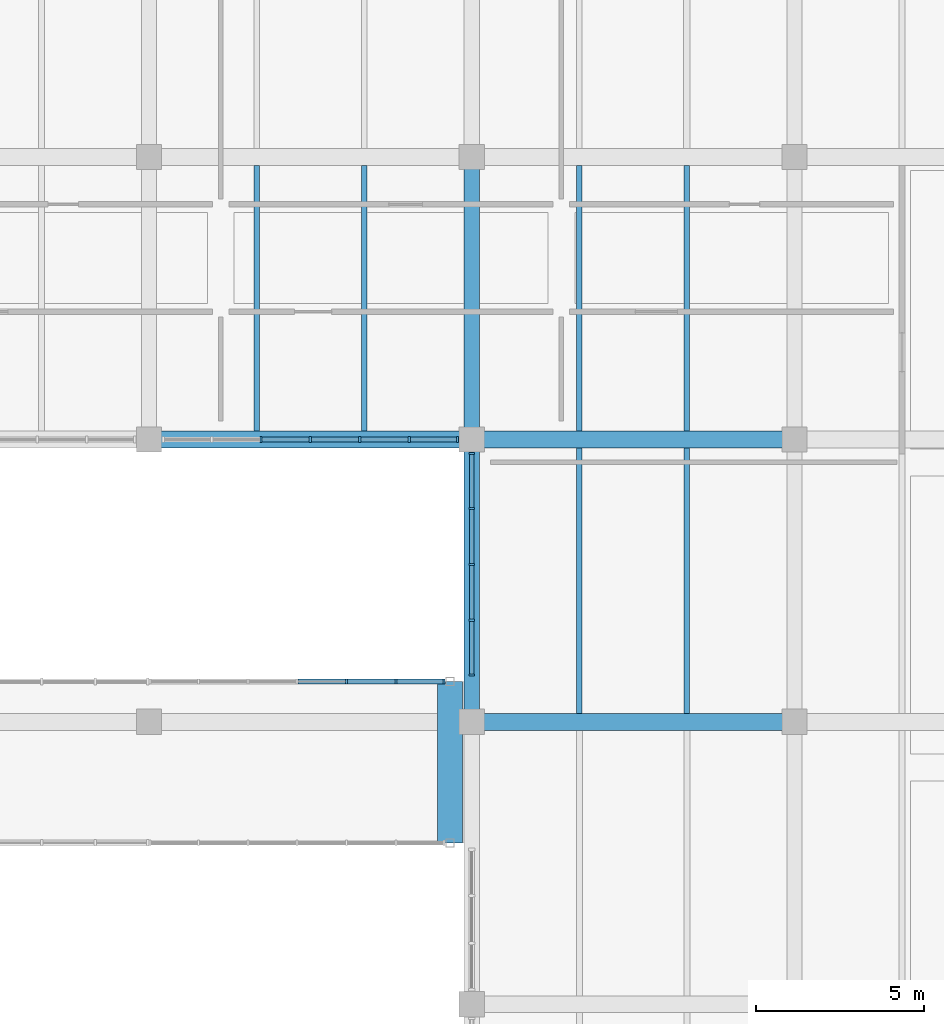
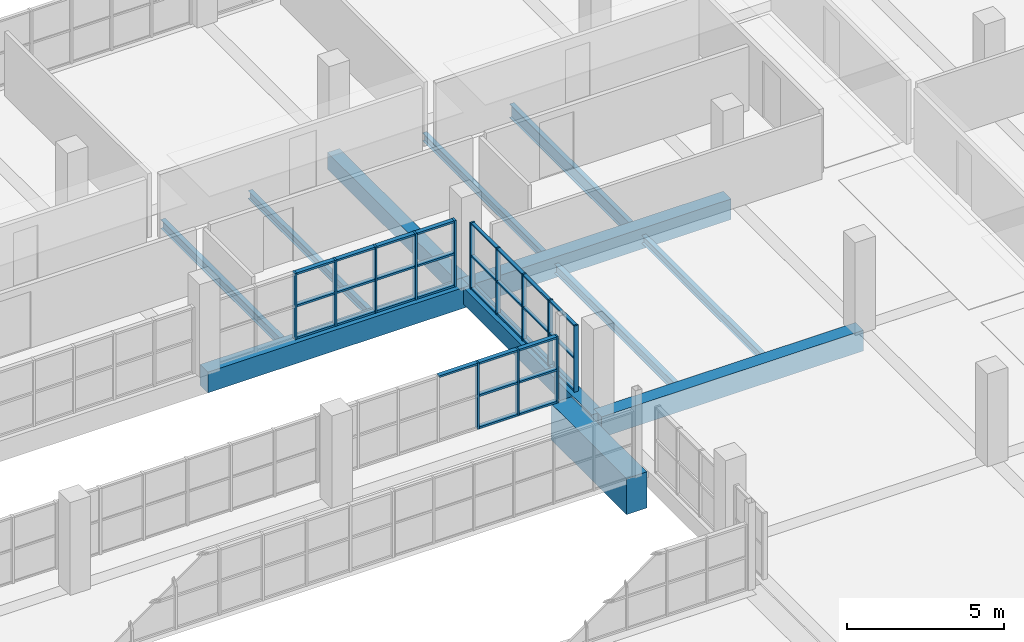
# One storey, part 67 of 147: 44 members, 12 beams, 3 elements without a shape of their own.
"""IFC4 building model written with IfcOpenShell, lengths in metres."""

from ifc_helpers import new_model, si_unit, direction, frame, origin, origin_2d, place, context, subcontext, project, spatial, rectangle, i_section, extrude, material, material_profile, profile_set, type_object, element, aggregate, save


model = new_model("IFC4")

# Units and contexts
model_context = context("Model", 3, precision=1e-05, world=origin(), true_north=direction((0.0, 1.0)))
body_context = subcontext(model_context, "Body", "Model", "MODEL_VIEW")
ifc_project = project(units=[si_unit("LENGTHUNIT", "METRE"), si_unit("AREAUNIT", "SQUARE_METRE"), si_unit("VOLUMEUNIT", "CUBIC_METRE"), si_unit("PLANEANGLEUNIT", "RADIAN"), si_unit("MASSUNIT", "GRAM", prefix="KILO")], contexts=[model_context])

# Site, building, storey
site_placement = place(None, origin())
site = spatial("IfcSite", under=ifc_project, at=site_placement, CompositionType="ELEMENT")
building_placement = place(site_placement, origin())
building = spatial("IfcBuilding", under=site, at=building_placement, Name="Oolite Switchyard Hospital", CompositionType="ELEMENT")
storey_placement = place(building_placement, frame((0.0, 0.0, 9.89990234375)))
storey = spatial("IfcBuildingStorey", under=building, at=storey_placement, Name="L02", CompositionType="ELEMENT", Elevation=9.89990234375)

# Beams
ifc_material_1 = material(Name="Concrete C40/50", Category="concrete")
ifc_material_profile_1 = material_profile(ifc_material_1, rectangle(XDim=0.449951171875, YDim=0.64990234375, at=origin_2d()), Name="RCB450X650")
ifc_profile_set_1 = profile_set([ifc_material_profile_1], Name="Concrete C40/50")
beam_type_1 = type_object("IfcBeamType", Name="BM-RC450X650", PredefinedType="BEAM", material=ifc_profile_set_1)
beam_1_placement = place(storey_placement, frame((182.39990234375, 50.39990234375, -0.324951171875), z_axis=(0.0, 1.0, 0.0), x_axis=(-1.0, 0.0, 0.0)))
element("IfcBeam", 1, at=beam_1_placement, inside=storey, type_object=beam_type_1, Name="L02 Y-Girder 1472", PredefinedType="BEAM", context=body_context, shape_type="SweptSolid", body=[
    extrude(rectangle(XDim=0.449951171875, YDim=0.64990234375, at=origin_2d()), origin(), (0.0, 0.0, 1.0), 8.400146484375),
])
beam_2_placement = place(storey_placement, frame((182.39990234375, 58.800048828125, -0.324951171875), z_axis=(0.0, 1.0, 0.0), x_axis=(-1.0, 0.0, 0.0)))
element("IfcBeam", 2, at=beam_2_placement, inside=storey, type_object=beam_type_1, Name="L02 Y-Girder 1473", PredefinedType="BEAM", context=body_context, shape_type="SweptSolid", body=[
    extrude(rectangle(XDim=0.449951171875, YDim=0.64990234375, at=origin_2d()), origin(), (0.0, 0.0, 1.0), 8.39990234375),
])
ifc_material_profile_2 = material_profile(ifc_material_1, rectangle(XDim=0.5, YDim=0.800048828125, at=origin_2d()), Name="RCB500X800")
ifc_profile_set_2 = profile_set([ifc_material_profile_2], Name="Concrete C40/50")
beam_type_2 = type_object("IfcBeamType", Name="BM-RC500X800", PredefinedType="BEAM", material=ifc_profile_set_2)
beam_3_placement = place(storey_placement, frame((182.39990234375, 50.39990234375, -0.39990234375), z_axis=(1.0, 0.0, 0.0), x_axis=(0.0, 1.0, 0.0)))
element("IfcBeam", 3, at=beam_3_placement, inside=storey, type_object=beam_type_2, Name="L02 X-Girder 1075", PredefinedType="BEAM", context=body_context, shape_type="SweptSolid", body=[
    extrude(rectangle(XDim=0.5, YDim=0.800048828125, at=origin_2d()), origin(), (0.0, 0.0, 1.0), 9.60009765625),
])
beam_4_placement = place(storey_placement, frame((172.800048828125, 58.800048828125, -0.39990234375), z_axis=(1.0, 0.0, 0.0), x_axis=(0.0, 1.0, 0.0)))
element("IfcBeam", 4, at=beam_4_placement, inside=storey, type_object=beam_type_2, Name="L02 X-Girder 1090", PredefinedType="BEAM", context=body_context, shape_type="SweptSolid", body=[
    extrude(rectangle(XDim=0.5, YDim=0.800048828125, at=origin_2d()), origin(), (0.0, 0.0, 1.0), 9.599853515625),
])
beam_5_placement = place(storey_placement, frame((182.39990234375, 58.800048828125, -0.39990234375), z_axis=(1.0, 0.0, 0.0), x_axis=(0.0, 1.0, 0.0)))
element("IfcBeam", 5, at=beam_5_placement, inside=storey, type_object=beam_type_2, Name="L02 X-Girder 1091", PredefinedType="BEAM", context=body_context, shape_type="SweptSolid", body=[
    extrude(rectangle(XDim=0.5, YDim=0.800048828125, at=origin_2d()), origin(), (0.0, 0.0, 1.0), 9.60009765625),
])
ifc_material_profile_3 = material_profile(ifc_material_1, rectangle(XDim=0.75, YDim=1.39990234375, at=origin_2d()), Name="RCT750X1400")
ifc_profile_set_3 = profile_set([ifc_material_profile_3], Name="Concrete C40/50")
beam_type_3 = type_object("IfcBeamType", Name="BM-TR750X1400", PredefinedType="BEAM", material=ifc_profile_set_3)
beam_6_placement = place(storey_placement, frame((181.75, 46.800048828125, -0.699951171875), z_axis=(0.0, 1.0, 0.0), x_axis=(-1.0, 0.0, 0.0)))
element("IfcBeam", 6, at=beam_6_placement, inside=storey, type_object=beam_type_3, Name="L02 Y-Girder 1466", PredefinedType="BEAM", context=body_context, shape_type="SweptSolid", body=[
    extrude(rectangle(XDim=0.75, YDim=1.39990234375, at=origin_2d()), origin(), (0.0, 0.0, 1.0), 4.800048828125),
])
ifc_material_2 = material(Name="Steel ASTM A992 Grade 50", Category="steel")
ifc_material_profile_4 = material_profile(ifc_material_2, i_section(OverallWidth=0.1650390625, OverallDepth=0.31005859375, WebThickness=0.006103515625, FlangeThickness=0.010009765625, at=origin_2d()), Name="W12X26")
ifc_profile_set_4 = profile_set([ifc_material_profile_4], Name="Steel ASTM A992 Grade 50")
beam_type_4 = type_object("IfcBeamType", Name="BM-W12X26", PredefinedType="JOIST", material=ifc_profile_set_4)
beam_7_placement = place(storey_placement, frame((179.199951171875, 59.050048828125, -0.414794921875), z_axis=(0.0, 1.0, 0.0), x_axis=(-1.0, 0.0, 0.0)))
element("IfcBeam", 7, at=beam_7_placement, inside=storey, type_object=beam_type_4, Name="L02 Secondary Steel Joist 1857", PredefinedType="JOIST", context=body_context, shape_type="SweptSolid", body=[
    extrude(i_section(OverallWidth=0.1650390625, OverallDepth=0.31005859375, WebThickness=0.006103515625, FlangeThickness=0.010009765625, at=origin_2d()), origin(), (0.0, 0.0, 1.0), 7.89990234375),
])
beam_8_placement = place(storey_placement, frame((188.800048828125, 50.64990234375, -0.414794921875), z_axis=(0.0, 1.0, 0.0), x_axis=(-1.0, 0.0, 0.0)))
element("IfcBeam", 8, at=beam_8_placement, inside=storey, type_object=beam_type_4, Name="L02 Secondary Steel Joist 1877", PredefinedType="JOIST", context=body_context, shape_type="SweptSolid", body=[
    extrude(i_section(OverallWidth=0.1650390625, OverallDepth=0.31005859375, WebThickness=0.006103515625, FlangeThickness=0.010009765625, at=origin_2d()), origin(), (0.0, 0.0, 1.0), 7.900146484375),
])
beam_9_placement = place(storey_placement, frame((185.60009765625, 59.050048828125, -0.414794921875), z_axis=(0.0, 1.0, 0.0), x_axis=(-1.0, 0.0, 0.0)))
element("IfcBeam", 9, at=beam_9_placement, inside=storey, type_object=beam_type_4, Name="L02 Secondary Steel Joist 1878", PredefinedType="JOIST", context=body_context, shape_type="SweptSolid", body=[
    extrude(i_section(OverallWidth=0.1650390625, OverallDepth=0.31005859375, WebThickness=0.006103515625, FlangeThickness=0.010009765625, at=origin_2d()), origin(), (0.0, 0.0, 1.0), 7.89990234375),
])
ifc_material_profile_5 = material_profile(ifc_material_2, i_section(OverallWidth=0.1708984375, OverallDepth=0.35107421875, WebThickness=0.007080078125, FlangeThickness=0.010009765625, at=origin_2d()), Name="W14X30")
ifc_profile_set_5 = profile_set([ifc_material_profile_5], Name="Steel ASTM A992 Grade 50")
beam_type_5 = type_object("IfcBeamType", Name="BM-W14X30", PredefinedType="JOIST", material=ifc_profile_set_5)
beam_10_placement = place(storey_placement, frame((176.0, 59.050048828125, -0.434814453125), z_axis=(0.0, 1.0, 0.0), x_axis=(-1.0, 0.0, 0.0)))
element("IfcBeam", 10, at=beam_10_placement, inside=storey, type_object=beam_type_5, Name="L02 Secondary Steel Joist 1856", PredefinedType="JOIST", context=body_context, shape_type="SweptSolid", body=[
    extrude(i_section(OverallWidth=0.1708984375, OverallDepth=0.35107421875, WebThickness=0.007080078125, FlangeThickness=0.010009765625, at=origin_2d()), origin(), (0.0, 0.0, 1.0), 7.89990234375),
])
beam_11_placement = place(storey_placement, frame((185.60009765625, 50.64990234375, -0.434814453125), z_axis=(0.0, 1.0, 0.0), x_axis=(-1.0, 0.0, 0.0)))
element("IfcBeam", 11, at=beam_11_placement, inside=storey, type_object=beam_type_5, Name="L02 Secondary Steel Joist 1876", PredefinedType="JOIST", context=body_context, shape_type="SweptSolid", body=[
    extrude(i_section(OverallWidth=0.1708984375, OverallDepth=0.35107421875, WebThickness=0.007080078125, FlangeThickness=0.010009765625, at=origin_2d()), origin(), (0.0, 0.0, 1.0), 7.900146484375),
])
ifc_material_profile_6 = material_profile(ifc_material_2, i_section(OverallWidth=0.166015625, OverallDepth=0.529052734375, WebThickness=0.010009765625, FlangeThickness=0.013916015625, at=origin_2d()), Name="W21X50")
ifc_profile_set_6 = profile_set([ifc_material_profile_6], Name="Steel ASTM A992 Grade 50")
beam_type_6 = type_object("IfcBeamType", Name="BM-W21X50", PredefinedType="JOIST", material=ifc_profile_set_6)
beam_12_placement = place(storey_placement, frame((188.800048828125, 59.050048828125, -0.52392578125), z_axis=(0.0, 1.0, 0.0), x_axis=(-1.0, 0.0, 0.0)))
element("IfcBeam", 12, at=beam_12_placement, inside=storey, type_object=beam_type_6, Name="L02 Secondary Steel Joist 1879", PredefinedType="JOIST", context=body_context, shape_type="SweptSolid", body=[
    extrude(i_section(OverallWidth=0.166015625, OverallDepth=0.529052734375, WebThickness=0.010009765625, FlangeThickness=0.013916015625, at=origin_2d()), origin(), (0.0, 0.0, 1.0), 7.89990234375),
])

# Curtain wall, members
ifc_material_3 = material(Name="Thermally broken aluminum frame with laminated impact glazing", Category="aluminium")
curtain_wall_type_1 = type_object("IfcCurtainWallType", Name="CW-BRG-96X38", PredefinedType="USERDEFINED", material=ifc_material_3)
curtain_wall_1_placement = place(storey_placement, origin())
curtain_wall_1 = element("IfcCurtainWall", 13, at=curtain_wall_1_placement, inside=storey, type_object=curtain_wall_type_1, Name="L02 Unitised Curtain Wall 241", ObjectType="UNITISED", PredefinedType="USERDEFINED")
ifc_material_4 = material(Name="Aluminium 6063-T6", Category="aluminium")
ifc_material_profile_7 = material_profile(ifc_material_4, rectangle(XDim=0.159912109375, YDim=0.06005859375, at=origin_2d()), Name="CWM60X160")
ifc_profile_set_7 = profile_set([ifc_material_profile_7], Name="Aluminium 6063-T6")
member_type_1 = type_object("IfcMemberType", Name="CW-MUL-180", PredefinedType="MULLION", material=ifc_profile_set_7)
member_1_placement = place(storey_placement, frame((178.672119140625, 51.60009765625, 0.0), z_axis=(0.0, 0.0, 1.0), x_axis=(0.0, 1.0, 0.0)))
member_1 = element("IfcMember", 14, at=member_1_placement, type_object=member_type_1, Name="CW-12 mullion 5", PredefinedType="MULLION", context=body_context, shape_type="SweptSolid", body=[
    extrude(rectangle(XDim=0.159912109375, YDim=0.06005859375, at=origin_2d()), origin(), (0.0, 0.0, 1.0), 2.570068359375),
])
member_2_placement = place(storey_placement, frame((180.139892578125, 51.60009765625, 0.0), z_axis=(0.0, 0.0, 1.0), x_axis=(0.0, 1.0, 0.0)))
member_2 = element("IfcMember", 15, at=member_2_placement, type_object=member_type_1, Name="CW-12 mullion 6", PredefinedType="MULLION", context=body_context, shape_type="SweptSolid", body=[
    extrude(rectangle(XDim=0.159912109375, YDim=0.06005859375, at=origin_2d()), origin(), (0.0, 0.0, 1.0), 2.570068359375),
])
member_3_placement = place(storey_placement, frame((181.577880859375, 51.60009765625, 0.0), z_axis=(0.0, 0.0, 1.0), x_axis=(0.0, 1.0, 0.0)))
member_3 = element("IfcMember", 16, at=member_3_placement, type_object=member_type_1, Name="CW-12 mullion 7", PredefinedType="MULLION", context=body_context, shape_type="SweptSolid", body=[
    extrude(rectangle(XDim=0.159912109375, YDim=0.06005859375, at=origin_2d()), origin(), (0.0, 0.0, 1.0), 2.570068359375),
])

curtain_wall_2_placement = place(storey_placement, origin())
curtain_wall_2 = element("IfcCurtainWall", 17, at=curtain_wall_2_placement, inside=storey, type_object=curtain_wall_type_1, Name="L02 Unitised Curtain Wall 310", ObjectType="UNITISED", PredefinedType="USERDEFINED")
member_4_placement = place(storey_placement, frame((182.39990234375, 51.7900390625, 0.0), z_axis=(0.0, 0.0, 1.0), x_axis=(-1.0, 0.0, 0.0)))
member_4 = element("IfcMember", 18, at=member_4_placement, type_object=member_type_1, Name="CW-12 mullion 1", PredefinedType="MULLION", context=body_context, shape_type="SweptSolid", body=[
    extrude(rectangle(XDim=0.159912109375, YDim=0.06005859375, at=origin_2d()), origin(), (0.0, 0.0, 1.0), 2.570068359375),
])
member_5_placement = place(storey_placement, frame((182.39990234375, 53.422607421875, 0.0), z_axis=(0.0, 0.0, 1.0), x_axis=(-1.0, 0.0, 0.0)))
member_5 = element("IfcMember", 19, at=member_5_placement, type_object=member_type_1, Name="CW-12 mullion 2", PredefinedType="MULLION", context=body_context, shape_type="SweptSolid", body=[
    extrude(rectangle(XDim=0.159912109375, YDim=0.06005859375, at=origin_2d()), origin(), (0.0, 0.0, 1.0), 2.570068359375),
])
member_6_placement = place(storey_placement, frame((182.39990234375, 55.0849609375, 0.0), z_axis=(0.0, 0.0, 1.0), x_axis=(-1.0, 0.0, 0.0)))
member_6 = element("IfcMember", 20, at=member_6_placement, type_object=member_type_1, Name="CW-12 mullion 3", PredefinedType="MULLION", context=body_context, shape_type="SweptSolid", body=[
    extrude(rectangle(XDim=0.159912109375, YDim=0.06005859375, at=origin_2d()), origin(), (0.0, 0.0, 1.0), 2.570068359375),
])
member_7_placement = place(storey_placement, frame((182.39990234375, 56.74755859375, 0.0), z_axis=(0.0, 0.0, 1.0), x_axis=(-1.0, 0.0, 0.0)))
member_7 = element("IfcMember", 21, at=member_7_placement, type_object=member_type_1, Name="CW-12 mullion 4", PredefinedType="MULLION", context=body_context, shape_type="SweptSolid", body=[
    extrude(rectangle(XDim=0.159912109375, YDim=0.06005859375, at=origin_2d()), origin(), (0.0, 0.0, 1.0), 2.570068359375),
])
member_8_placement = place(storey_placement, frame((182.39990234375, 58.3798828125, 0.0), z_axis=(0.0, 0.0, 1.0), x_axis=(-1.0, 0.0, 0.0)))
member_8 = element("IfcMember", 22, at=member_8_placement, type_object=member_type_1, Name="CW-12 mullion 5", PredefinedType="MULLION", context=body_context, shape_type="SweptSolid", body=[
    extrude(rectangle(XDim=0.159912109375, YDim=0.06005859375, at=origin_2d()), origin(), (0.0, 0.0, 1.0), 2.570068359375),
])

curtain_wall_type_2 = type_object("IfcCurtainWallType", Name="CW-UNIT-96X36", PredefinedType="USERDEFINED", material=ifc_material_3)
curtain_wall_3_placement = place(storey_placement, origin())
curtain_wall_3 = element("IfcCurtainWall", 23, at=curtain_wall_3_placement, inside=storey, type_object=curtain_wall_type_2, Name="L02 Unitised Curtain Wall 245", ObjectType="UNITISED", PredefinedType="USERDEFINED")
ifc_material_profile_8 = material_profile(ifc_material_4, rectangle(XDim=0.179931640625, YDim=0.070068359375, at=origin_2d()), Name="CWM70X180")
ifc_profile_set_8 = profile_set([ifc_material_profile_8], Name="Aluminium 6063-T6")
member_type_2 = type_object("IfcMemberType", Name="CW-MUL-220", PredefinedType="MULLION", material=ifc_profile_set_8)
member_9_placement = place(storey_placement, frame((181.97509765625, 58.800048828125, 0.0), z_axis=(0.0, 0.0, 1.0), x_axis=(0.0, -1.0, 0.0)))
member_9 = element("IfcMember", 24, at=member_9_placement, type_object=member_type_2, Name="CW-03 mullion 1", PredefinedType="MULLION", context=body_context, shape_type="SweptSolid", body=[
    extrude(rectangle(XDim=0.179931640625, YDim=0.070068359375, at=origin_2d()), origin(), (0.0, 0.0, 1.0), 2.570068359375),
])
member_10_placement = place(storey_placement, frame((180.5400390625, 58.800048828125, 0.0), z_axis=(0.0, 0.0, 1.0), x_axis=(0.0, -1.0, 0.0)))
member_10 = element("IfcMember", 25, at=member_10_placement, type_object=member_type_2, Name="CW-03 mullion 2", PredefinedType="MULLION", context=body_context, shape_type="SweptSolid", body=[
    extrude(rectangle(XDim=0.179931640625, YDim=0.070068359375, at=origin_2d()), origin(), (0.0, 0.0, 1.0), 2.570068359375),
])
member_11_placement = place(storey_placement, frame((179.070068359375, 58.800048828125, 0.0), z_axis=(0.0, 0.0, 1.0), x_axis=(0.0, -1.0, 0.0)))
member_11 = element("IfcMember", 26, at=member_11_placement, type_object=member_type_2, Name="CW-03 mullion 3", PredefinedType="MULLION", context=body_context, shape_type="SweptSolid", body=[
    extrude(rectangle(XDim=0.179931640625, YDim=0.070068359375, at=origin_2d()), origin(), (0.0, 0.0, 1.0), 2.570068359375),
])
member_12_placement = place(storey_placement, frame((177.60009765625, 58.800048828125, 0.0), z_axis=(0.0, 0.0, 1.0), x_axis=(0.0, -1.0, 0.0)))
member_12 = element("IfcMember", 27, at=member_12_placement, type_object=member_type_2, Name="CW-03 mullion 4", PredefinedType="MULLION", context=body_context, shape_type="SweptSolid", body=[
    extrude(rectangle(XDim=0.179931640625, YDim=0.070068359375, at=origin_2d()), origin(), (0.0, 0.0, 1.0), 2.570068359375),
])
member_13_placement = place(storey_placement, frame((176.1298828125, 58.800048828125, 0.0), z_axis=(0.0, 0.0, 1.0), x_axis=(0.0, -1.0, 0.0)))
member_13 = element("IfcMember", 28, at=member_13_placement, type_object=member_type_2, Name="CW-03 mullion 5", PredefinedType="MULLION", context=body_context, shape_type="SweptSolid", body=[
    extrude(rectangle(XDim=0.179931640625, YDim=0.070068359375, at=origin_2d()), origin(), (0.0, 0.0, 1.0), 2.570068359375),
])

# Member
ifc_material_profile_9 = material_profile(ifc_material_4, rectangle(XDim=0.1201171875, YDim=0.06005859375, at=origin_2d()), Name="CWT60X120")
ifc_profile_set_9 = profile_set([ifc_material_profile_9], Name="Aluminium 6063-T6")
member_type_3 = type_object("IfcMemberType", Name="CW-TRN-150", PredefinedType="USERDEFINED", material=ifc_profile_set_9)
member_14_placement = place(storey_placement, frame((182.39990234375, 51.820068359375, 0.030029296875), z_axis=(0.0, 1.0, 0.0), x_axis=(-1.0, 0.0, 0.0)))
member_14 = element("IfcMember", 29, at=member_14_placement, type_object=member_type_3, Name="CW-12 transom 1.1", ObjectType="TRANSOM", PredefinedType="USERDEFINED", context=body_context, shape_type="SweptSolid", body=[
    extrude(rectangle(XDim=0.1201171875, YDim=0.06005859375, at=origin_2d()), origin(), (0.0, 0.0, 1.0), 1.572509765625),
])

member_15_placement = place(storey_placement, frame((182.39990234375, 51.820068359375, 1.28515625), z_axis=(0.0, 1.0, 0.0), x_axis=(-1.0, 0.0, 0.0)))
member_15 = element("IfcMember", 30, at=member_15_placement, type_object=member_type_3, Name="CW-12 transom 1.2", ObjectType="TRANSOM", PredefinedType="USERDEFINED", context=body_context, shape_type="SweptSolid", body=[
    extrude(rectangle(XDim=0.1201171875, YDim=0.06005859375, at=origin_2d()), origin(), (0.0, 0.0, 1.0), 1.572509765625),
])

member_16_placement = place(storey_placement, frame((182.39990234375, 51.820068359375, 2.5400390625), z_axis=(0.0, 1.0, 0.0), x_axis=(-1.0, 0.0, 0.0)))
member_16 = element("IfcMember", 31, at=member_16_placement, type_object=member_type_3, Name="CW-12 transom 1.3", ObjectType="TRANSOM", PredefinedType="USERDEFINED", context=body_context, shape_type="SweptSolid", body=[
    extrude(rectangle(XDim=0.1201171875, YDim=0.06005859375, at=origin_2d()), origin(), (0.0, 0.0, 1.0), 1.572509765625),
])

member_17_placement = place(storey_placement, frame((182.39990234375, 53.452392578125, 0.030029296875), z_axis=(0.0, 1.0, 0.0), x_axis=(-1.0, 0.0, 0.0)))
member_17 = element("IfcMember", 32, at=member_17_placement, type_object=member_type_3, Name="CW-12 transom 2.1", ObjectType="TRANSOM", PredefinedType="USERDEFINED", context=body_context, shape_type="SweptSolid", body=[
    extrude(rectangle(XDim=0.1201171875, YDim=0.06005859375, at=origin_2d()), origin(), (0.0, 0.0, 1.0), 1.6025390625),
])

member_18_placement = place(storey_placement, frame((182.39990234375, 53.452392578125, 1.28515625), z_axis=(0.0, 1.0, 0.0), x_axis=(-1.0, 0.0, 0.0)))
member_18 = element("IfcMember", 33, at=member_18_placement, type_object=member_type_3, Name="CW-12 transom 2.2", ObjectType="TRANSOM", PredefinedType="USERDEFINED", context=body_context, shape_type="SweptSolid", body=[
    extrude(rectangle(XDim=0.1201171875, YDim=0.06005859375, at=origin_2d()), origin(), (0.0, 0.0, 1.0), 1.6025390625),
])

member_19_placement = place(storey_placement, frame((182.39990234375, 53.452392578125, 2.5400390625), z_axis=(0.0, 1.0, 0.0), x_axis=(-1.0, 0.0, 0.0)))
member_19 = element("IfcMember", 34, at=member_19_placement, type_object=member_type_3, Name="CW-12 transom 2.3", ObjectType="TRANSOM", PredefinedType="USERDEFINED", context=body_context, shape_type="SweptSolid", body=[
    extrude(rectangle(XDim=0.1201171875, YDim=0.06005859375, at=origin_2d()), origin(), (0.0, 0.0, 1.0), 1.6025390625),
])

member_20_placement = place(storey_placement, frame((182.39990234375, 55.114990234375, 0.030029296875), z_axis=(0.0, 1.0, 0.0), x_axis=(-1.0, 0.0, 0.0)))
member_20 = element("IfcMember", 35, at=member_20_placement, type_object=member_type_3, Name="CW-12 transom 3.1", ObjectType="TRANSOM", PredefinedType="USERDEFINED", context=body_context, shape_type="SweptSolid", body=[
    extrude(rectangle(XDim=0.1201171875, YDim=0.06005859375, at=origin_2d()), origin(), (0.0, 0.0, 1.0), 1.6025390625),
])

member_21_placement = place(storey_placement, frame((182.39990234375, 55.114990234375, 1.28515625), z_axis=(0.0, 1.0, 0.0), x_axis=(-1.0, 0.0, 0.0)))
member_21 = element("IfcMember", 36, at=member_21_placement, type_object=member_type_3, Name="CW-12 transom 3.2", ObjectType="TRANSOM", PredefinedType="USERDEFINED", context=body_context, shape_type="SweptSolid", body=[
    extrude(rectangle(XDim=0.1201171875, YDim=0.06005859375, at=origin_2d()), origin(), (0.0, 0.0, 1.0), 1.6025390625),
])

member_22_placement = place(storey_placement, frame((182.39990234375, 55.114990234375, 2.5400390625), z_axis=(0.0, 1.0, 0.0), x_axis=(-1.0, 0.0, 0.0)))
member_22 = element("IfcMember", 37, at=member_22_placement, type_object=member_type_3, Name="CW-12 transom 3.3", ObjectType="TRANSOM", PredefinedType="USERDEFINED", context=body_context, shape_type="SweptSolid", body=[
    extrude(rectangle(XDim=0.1201171875, YDim=0.06005859375, at=origin_2d()), origin(), (0.0, 0.0, 1.0), 1.6025390625),
])

member_23_placement = place(storey_placement, frame((182.39990234375, 56.777587890625, 0.030029296875), z_axis=(0.0, 1.0, 0.0), x_axis=(-1.0, 0.0, 0.0)))
member_23 = element("IfcMember", 38, at=member_23_placement, type_object=member_type_3, Name="CW-12 transom 4.1", ObjectType="TRANSOM", PredefinedType="USERDEFINED", context=body_context, shape_type="SweptSolid", body=[
    extrude(rectangle(XDim=0.1201171875, YDim=0.06005859375, at=origin_2d()), origin(), (0.0, 0.0, 1.0), 1.572509765625),
])

member_24_placement = place(storey_placement, frame((182.39990234375, 56.777587890625, 1.28515625), z_axis=(0.0, 1.0, 0.0), x_axis=(-1.0, 0.0, 0.0)))
member_24 = element("IfcMember", 39, at=member_24_placement, type_object=member_type_3, Name="CW-12 transom 4.2", ObjectType="TRANSOM", PredefinedType="USERDEFINED", context=body_context, shape_type="SweptSolid", body=[
    extrude(rectangle(XDim=0.1201171875, YDim=0.06005859375, at=origin_2d()), origin(), (0.0, 0.0, 1.0), 1.572509765625),
])

member_25_placement = place(storey_placement, frame((182.39990234375, 56.777587890625, 2.5400390625), z_axis=(0.0, 1.0, 0.0), x_axis=(-1.0, 0.0, 0.0)))
member_25 = element("IfcMember", 40, at=member_25_placement, type_object=member_type_3, Name="CW-12 transom 4.3", ObjectType="TRANSOM", PredefinedType="USERDEFINED", context=body_context, shape_type="SweptSolid", body=[
    extrude(rectangle(XDim=0.1201171875, YDim=0.06005859375, at=origin_2d()), origin(), (0.0, 0.0, 1.0), 1.572509765625),
])

aggregate(curtain_wall_2, [member_4, member_5, member_6, member_7, member_8, member_14, member_15, member_16, member_17, member_18, member_19, member_20, member_21, member_22, member_23, member_24, member_25])

ifc_material_profile_10 = material_profile(ifc_material_4, rectangle(XDim=0.159912109375, YDim=0.074951171875, at=origin_2d()), Name="CWT75X160")
ifc_profile_set_10 = profile_set([ifc_material_profile_10], Name="Aluminium 6063-T6")
member_type_4 = type_object("IfcMemberType", Name="CW-TRN-180", PredefinedType="USERDEFINED", material=ifc_profile_set_10)
member_26_placement = place(storey_placement, frame((177.23388671875, 51.60009765625, 2.53271484375), z_axis=(1.0, 0.0, 0.0), x_axis=(0.0, 1.0, 0.0)))
member_26 = element("IfcMember", 41, at=member_26_placement, type_object=member_type_4, Name="CW-12 transom 4.3", ObjectType="TRANSOM", PredefinedType="USERDEFINED", context=body_context, shape_type="SweptSolid", body=[
    extrude(rectangle(XDim=0.159912109375, YDim=0.074951171875, at=origin_2d()), origin(), (0.0, 0.0, 1.0), 1.408203125),
])

member_27_placement = place(storey_placement, frame((178.701904296875, 51.60009765625, 0.03759765625), z_axis=(1.0, 0.0, 0.0), x_axis=(0.0, 1.0, 0.0)))
member_27 = element("IfcMember", 42, at=member_27_placement, type_object=member_type_4, Name="CW-12 transom 5.1", ObjectType="TRANSOM", PredefinedType="USERDEFINED", context=body_context, shape_type="SweptSolid", body=[
    extrude(rectangle(XDim=0.159912109375, YDim=0.074951171875, at=origin_2d()), origin(), (0.0, 0.0, 1.0), 1.408203125),
])

member_28_placement = place(storey_placement, frame((178.701904296875, 51.60009765625, 1.28515625), z_axis=(1.0, 0.0, 0.0), x_axis=(0.0, 1.0, 0.0)))
member_28 = element("IfcMember", 43, at=member_28_placement, type_object=member_type_4, Name="CW-12 transom 5.2", ObjectType="TRANSOM", PredefinedType="USERDEFINED", context=body_context, shape_type="SweptSolid", body=[
    extrude(rectangle(XDim=0.159912109375, YDim=0.074951171875, at=origin_2d()), origin(), (0.0, 0.0, 1.0), 1.408203125),
])

member_29_placement = place(storey_placement, frame((178.701904296875, 51.60009765625, 2.53271484375), z_axis=(1.0, 0.0, 0.0), x_axis=(0.0, 1.0, 0.0)))
member_29 = element("IfcMember", 44, at=member_29_placement, type_object=member_type_4, Name="CW-12 transom 5.3", ObjectType="TRANSOM", PredefinedType="USERDEFINED", context=body_context, shape_type="SweptSolid", body=[
    extrude(rectangle(XDim=0.159912109375, YDim=0.074951171875, at=origin_2d()), origin(), (0.0, 0.0, 1.0), 1.408203125),
])

member_30_placement = place(storey_placement, frame((180.169921875, 51.60009765625, 0.03759765625), z_axis=(1.0, 0.0, 0.0), x_axis=(0.0, 1.0, 0.0)))
member_30 = element("IfcMember", 45, at=member_30_placement, type_object=member_type_4, Name="CW-12 transom 6.1", ObjectType="TRANSOM", PredefinedType="USERDEFINED", context=body_context, shape_type="SweptSolid", body=[
    extrude(rectangle(XDim=0.159912109375, YDim=0.074951171875, at=origin_2d()), origin(), (0.0, 0.0, 1.0), 1.378173828125),
])

member_31_placement = place(storey_placement, frame((180.169921875, 51.60009765625, 1.28515625), z_axis=(1.0, 0.0, 0.0), x_axis=(0.0, 1.0, 0.0)))
member_31 = element("IfcMember", 46, at=member_31_placement, type_object=member_type_4, Name="CW-12 transom 6.2", ObjectType="TRANSOM", PredefinedType="USERDEFINED", context=body_context, shape_type="SweptSolid", body=[
    extrude(rectangle(XDim=0.159912109375, YDim=0.074951171875, at=origin_2d()), origin(), (0.0, 0.0, 1.0), 1.378173828125),
])

member_32_placement = place(storey_placement, frame((180.169921875, 51.60009765625, 2.53271484375), z_axis=(1.0, 0.0, 0.0), x_axis=(0.0, 1.0, 0.0)))
member_32 = element("IfcMember", 47, at=member_32_placement, type_object=member_type_4, Name="CW-12 transom 6.3", ObjectType="TRANSOM", PredefinedType="USERDEFINED", context=body_context, shape_type="SweptSolid", body=[
    extrude(rectangle(XDim=0.159912109375, YDim=0.074951171875, at=origin_2d()), origin(), (0.0, 0.0, 1.0), 1.378173828125),
])

aggregate(curtain_wall_1, [member_1, member_2, member_3, member_26, member_27, member_28, member_29, member_30, member_31, member_32])

member_33_placement = place(storey_placement, frame((181.93994140625, 58.800048828125, 0.03759765625), z_axis=(-1.0, 0.0, 0.0), x_axis=(0.0, -1.0, 0.0)))
member_33 = element("IfcMember", 48, at=member_33_placement, type_object=member_type_4, Name="CW-03 transom 1.1", ObjectType="TRANSOM", PredefinedType="USERDEFINED", context=body_context, shape_type="SweptSolid", body=[
    extrude(rectangle(XDim=0.159912109375, YDim=0.074951171875, at=origin_2d()), origin(), (0.0, 0.0, 1.0), 1.364990234375),
])

member_34_placement = place(storey_placement, frame((181.93994140625, 58.800048828125, 1.28515625), z_axis=(-1.0, 0.0, 0.0), x_axis=(0.0, -1.0, 0.0)))
member_34 = element("IfcMember", 49, at=member_34_placement, type_object=member_type_4, Name="CW-03 transom 1.2", ObjectType="TRANSOM", PredefinedType="USERDEFINED", context=body_context, shape_type="SweptSolid", body=[
    extrude(rectangle(XDim=0.159912109375, YDim=0.074951171875, at=origin_2d()), origin(), (0.0, 0.0, 1.0), 1.364990234375),
])

member_35_placement = place(storey_placement, frame((181.93994140625, 58.800048828125, 2.53271484375), z_axis=(-1.0, 0.0, 0.0), x_axis=(0.0, -1.0, 0.0)))
member_35 = element("IfcMember", 50, at=member_35_placement, type_object=member_type_4, Name="CW-03 transom 1.3", ObjectType="TRANSOM", PredefinedType="USERDEFINED", context=body_context, shape_type="SweptSolid", body=[
    extrude(rectangle(XDim=0.159912109375, YDim=0.074951171875, at=origin_2d()), origin(), (0.0, 0.0, 1.0), 1.364990234375),
])

member_36_placement = place(storey_placement, frame((180.5048828125, 58.800048828125, 0.03759765625), z_axis=(-1.0, 0.0, 0.0), x_axis=(0.0, -1.0, 0.0)))
member_36 = element("IfcMember", 51, at=member_36_placement, type_object=member_type_4, Name="CW-03 transom 2.1", ObjectType="TRANSOM", PredefinedType="USERDEFINED", context=body_context, shape_type="SweptSolid", body=[
    extrude(rectangle(XDim=0.159912109375, YDim=0.074951171875, at=origin_2d()), origin(), (0.0, 0.0, 1.0), 1.39990234375),
])

member_37_placement = place(storey_placement, frame((180.5048828125, 58.800048828125, 1.28515625), z_axis=(-1.0, 0.0, 0.0), x_axis=(0.0, -1.0, 0.0)))
member_37 = element("IfcMember", 52, at=member_37_placement, type_object=member_type_4, Name="CW-03 transom 2.2", ObjectType="TRANSOM", PredefinedType="USERDEFINED", context=body_context, shape_type="SweptSolid", body=[
    extrude(rectangle(XDim=0.159912109375, YDim=0.074951171875, at=origin_2d()), origin(), (0.0, 0.0, 1.0), 1.39990234375),
])

member_38_placement = place(storey_placement, frame((180.5048828125, 58.800048828125, 2.53271484375), z_axis=(-1.0, 0.0, 0.0), x_axis=(0.0, -1.0, 0.0)))
member_38 = element("IfcMember", 53, at=member_38_placement, type_object=member_type_4, Name="CW-03 transom 2.3", ObjectType="TRANSOM", PredefinedType="USERDEFINED", context=body_context, shape_type="SweptSolid", body=[
    extrude(rectangle(XDim=0.159912109375, YDim=0.074951171875, at=origin_2d()), origin(), (0.0, 0.0, 1.0), 1.39990234375),
])

member_39_placement = place(storey_placement, frame((179.034912109375, 58.800048828125, 0.03759765625), z_axis=(-1.0, 0.0, 0.0), x_axis=(0.0, -1.0, 0.0)))
member_39 = element("IfcMember", 54, at=member_39_placement, type_object=member_type_4, Name="CW-03 transom 3.1", ObjectType="TRANSOM", PredefinedType="USERDEFINED", context=body_context, shape_type="SweptSolid", body=[
    extrude(rectangle(XDim=0.159912109375, YDim=0.074951171875, at=origin_2d()), origin(), (0.0, 0.0, 1.0), 1.39990234375),
])

member_40_placement = place(storey_placement, frame((179.034912109375, 58.800048828125, 1.28515625), z_axis=(-1.0, 0.0, 0.0), x_axis=(0.0, -1.0, 0.0)))
member_40 = element("IfcMember", 55, at=member_40_placement, type_object=member_type_4, Name="CW-03 transom 3.2", ObjectType="TRANSOM", PredefinedType="USERDEFINED", context=body_context, shape_type="SweptSolid", body=[
    extrude(rectangle(XDim=0.159912109375, YDim=0.074951171875, at=origin_2d()), origin(), (0.0, 0.0, 1.0), 1.39990234375),
])

member_41_placement = place(storey_placement, frame((179.034912109375, 58.800048828125, 2.53271484375), z_axis=(-1.0, 0.0, 0.0), x_axis=(0.0, -1.0, 0.0)))
member_41 = element("IfcMember", 56, at=member_41_placement, type_object=member_type_4, Name="CW-03 transom 3.3", ObjectType="TRANSOM", PredefinedType="USERDEFINED", context=body_context, shape_type="SweptSolid", body=[
    extrude(rectangle(XDim=0.159912109375, YDim=0.074951171875, at=origin_2d()), origin(), (0.0, 0.0, 1.0), 1.39990234375),
])

member_42_placement = place(storey_placement, frame((177.56494140625, 58.800048828125, 0.03759765625), z_axis=(-1.0, 0.0, 0.0), x_axis=(0.0, -1.0, 0.0)))
member_42 = element("IfcMember", 57, at=member_42_placement, type_object=member_type_4, Name="CW-03 transom 4.1", ObjectType="TRANSOM", PredefinedType="USERDEFINED", context=body_context, shape_type="SweptSolid", body=[
    extrude(rectangle(XDim=0.159912109375, YDim=0.074951171875, at=origin_2d()), origin(), (0.0, 0.0, 1.0), 1.39990234375),
])

member_43_placement = place(storey_placement, frame((177.56494140625, 58.800048828125, 1.28515625), z_axis=(-1.0, 0.0, 0.0), x_axis=(0.0, -1.0, 0.0)))
member_43 = element("IfcMember", 58, at=member_43_placement, type_object=member_type_4, Name="CW-03 transom 4.2", ObjectType="TRANSOM", PredefinedType="USERDEFINED", context=body_context, shape_type="SweptSolid", body=[
    extrude(rectangle(XDim=0.159912109375, YDim=0.074951171875, at=origin_2d()), origin(), (0.0, 0.0, 1.0), 1.39990234375),
])

member_44_placement = place(storey_placement, frame((177.56494140625, 58.800048828125, 2.53271484375), z_axis=(-1.0, 0.0, 0.0), x_axis=(0.0, -1.0, 0.0)))
member_44 = element("IfcMember", 59, at=member_44_placement, type_object=member_type_4, Name="CW-03 transom 4.3", ObjectType="TRANSOM", PredefinedType="USERDEFINED", context=body_context, shape_type="SweptSolid", body=[
    extrude(rectangle(XDim=0.159912109375, YDim=0.074951171875, at=origin_2d()), origin(), (0.0, 0.0, 1.0), 1.39990234375),
])

aggregate(curtain_wall_3, [member_9, member_10, member_11, member_12, member_13, member_33, member_34, member_35, member_36, member_37, member_38, member_39, member_40, member_41, member_42, member_43, member_44])

save(model, "model.ifc")
